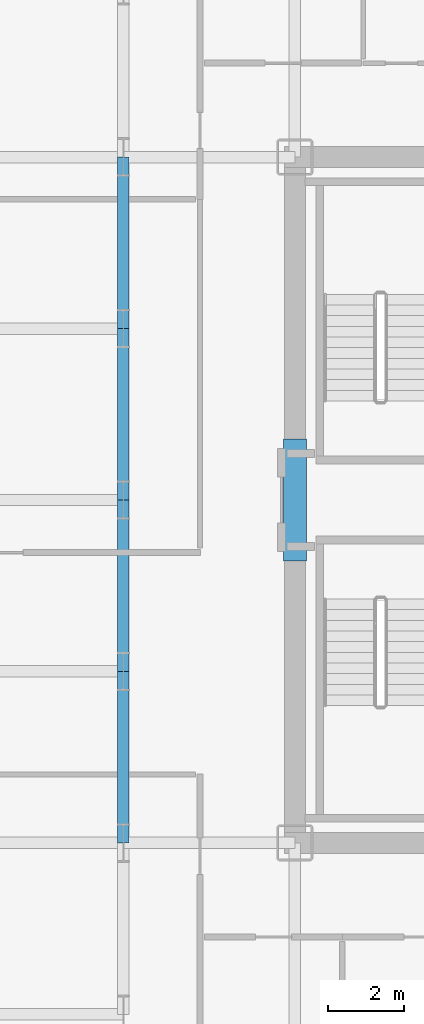
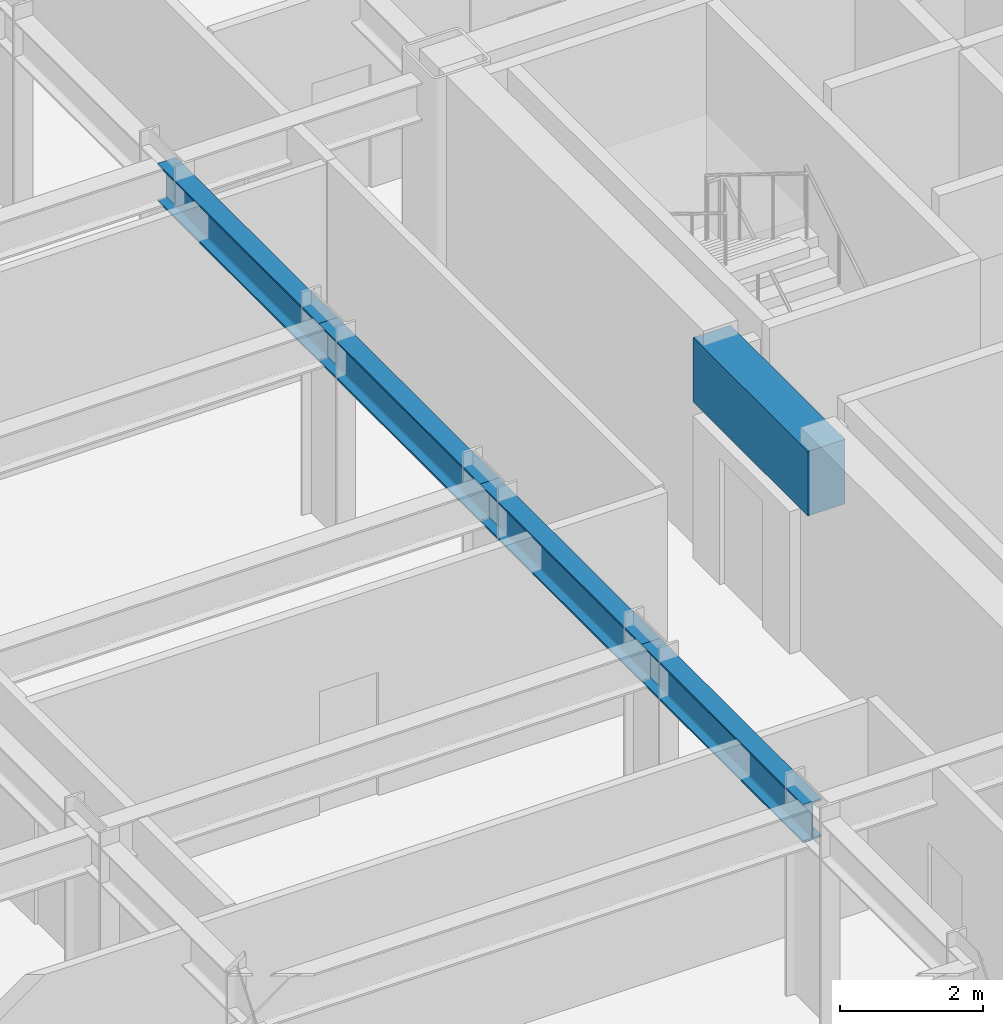
# One storey, part 7 of 29: 5 beams.
"""IFC4 building model written with IfcOpenShell, lengths in metres."""

from ifc_helpers import new_model, si_unit, direction, frame, origin, origin_2d, place, context, subcontext, project, spatial, rectangle, i_section, extrude, source, transform, mapped, material, material_profile, profile_set, type_object, element, save


model = new_model("IFC4")

# Units and contexts
model_context = context("Model", 3, precision=1e-05, world=origin(), true_north=direction((0.0, 1.0)))
body_context = subcontext(model_context, "Body", "Model", "MODEL_VIEW")
ifc_project = project(units=[si_unit("LENGTHUNIT", "METRE"), si_unit("AREAUNIT", "SQUARE_METRE"), si_unit("VOLUMEUNIT", "CUBIC_METRE"), si_unit("PLANEANGLEUNIT", "RADIAN"), si_unit("MASSUNIT", "GRAM", prefix="KILO")], contexts=[model_context])

# Site, building, storey
site_placement = place(None, origin())
site = spatial("IfcSite", under=ifc_project, at=site_placement, CompositionType="ELEMENT")
building_placement = place(site_placement, origin())
building = spatial("IfcBuilding", under=site, at=building_placement, Name="Nefas-Gora Pilgrimage Tower", CompositionType="ELEMENT")
storey_placement = place(building_placement, frame((0.0, 0.0, 136.39990234375)))
storey = spatial("IfcBuildingStorey", under=building, at=storey_placement, Name="L33", CompositionType="ELEMENT", Elevation=136.39990234375)

# Beams
ifc_material_1 = material(Name="Concrete C60/75", Category="concrete")
ifc_material_profile_1 = material_profile(ifc_material_1, rectangle(XDim=0.60009765625, YDim=1.10009765625, at=origin_2d()), Name="RC 600x1100")
ifc_profile_set_1 = profile_set([ifc_material_profile_1], Name="Concrete C60/75")
beam_type_1 = type_object("IfcBeamType", Name="BM-LIN-RC1100", PredefinedType="LINTEL", material=ifc_profile_set_1)
shared_shape_1 = source(origin(), body_context, "Body", "SweptSolid", [
    extrude(rectangle(XDim=0.60009765625, YDim=1.10009765625, at=origin_2d()), origin(), (0.0, 0.0, 1.0), 3.2001953125),
])
beam_placement = place(storey_placement, frame((-11.25, -1.60009765625, 3.0), z_axis=(0.0, 1.0, 0.0), x_axis=(-1.0, 0.0, 0.0)))
element("IfcBeam", 1, at=beam_placement, inside=storey, type_object=beam_type_1, Name="L33 Core Coupling Lintel Beam W", PredefinedType="LINTEL", context=body_context, shape_type="MappedRepresentation", body=[
    mapped(shared_shape_1, transform((0.0, 0.0, 0.0), x_axis=(1.0, 0.0, 0.0), y_axis=(0.0, 1.0, 0.0), z_axis=(0.0, 0.0, 1.0), scale=1.0)),
])
ifc_material_2 = material(Name="Steel S355", Category="steel")
ifc_material_profile_2 = material_profile(ifc_material_2, i_section(OverallWidth=0.300048828125, OverallDepth=0.64990234375, WebThickness=0.01611328125, FlangeThickness=0.031005859375, FilletRadius=0.027099609375, at=origin_2d()), Name="HEB 650")
ifc_profile_set_2 = profile_set([ifc_material_profile_2], Name="Steel S355")
beam_type_2 = type_object("IfcBeamType", Name="BM-GIR-HEB650", PredefinedType="BEAM", material=ifc_profile_set_2)
shared_shape_2 = source(origin(), body_context, "Body", "SweptSolid", [
    extrude(i_section(OverallWidth=0.300048828125, OverallDepth=0.64990234375, WebThickness=0.01611328125, FlangeThickness=0.031005859375, FilletRadius=0.027099609375, at=origin_2d()), origin(), (0.0, 0.0, 1.0), 4.5),
])
for number, where, z_axis, x_axis, name in (
    (2, (-15.75, -9.0, 3.22509765625), (0.0, 1.0, 0.0), (-1.0, 0.0, 0.0), "L33 G-03 beam"),
    (3, (-15.75, -4.5, 3.22509765625), (0.0, 1.0, 0.0), (-1.0, 0.0, 0.0), "L33 G-03 beam"),
    (4, (-15.75, 0.0, 3.22509765625), (0.0, 1.0, 0.0), (-1.0, 0.0, 0.0), "L33 G-03 beam"),
    (5, (-15.75, 4.5, 3.22509765625), (0.0, 1.0, 0.0), (-1.0, 0.0, 0.0), "L33 G-03 beam"),
):
    element("IfcBeam", number, at=place(storey_placement, frame(where, z_axis=z_axis, x_axis=x_axis)), inside=storey, type_object=beam_type_2, Name=name, PredefinedType="BEAM", context=body_context, shape_type="MappedRepresentation", body=[
        mapped(shared_shape_2, transform((0.0, 0.0, 0.0), x_axis=(1.0, 0.0, 0.0), y_axis=(0.0, 1.0, 0.0), z_axis=(0.0, 0.0, 1.0), scale=1.0)),
    ])

save(model, "model.ifc")
